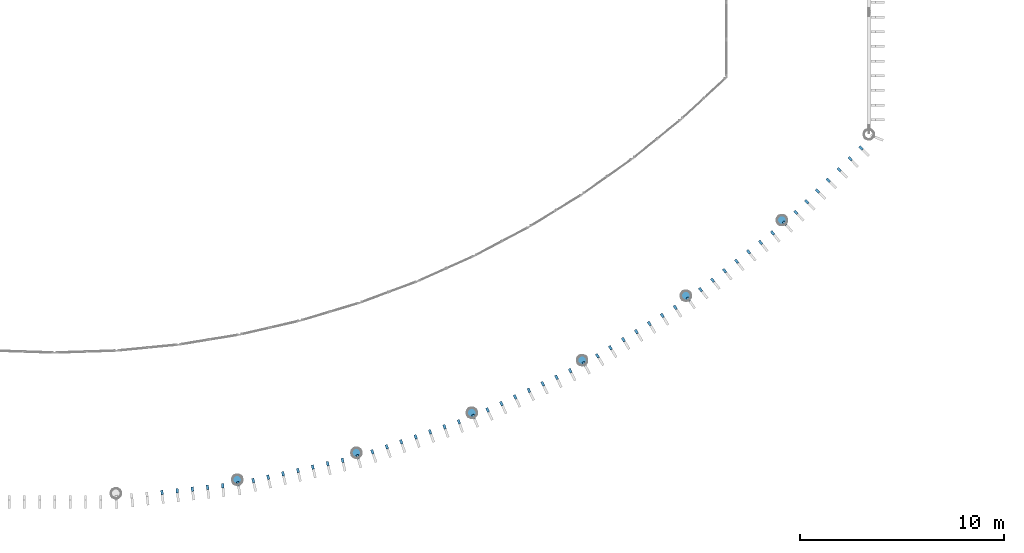
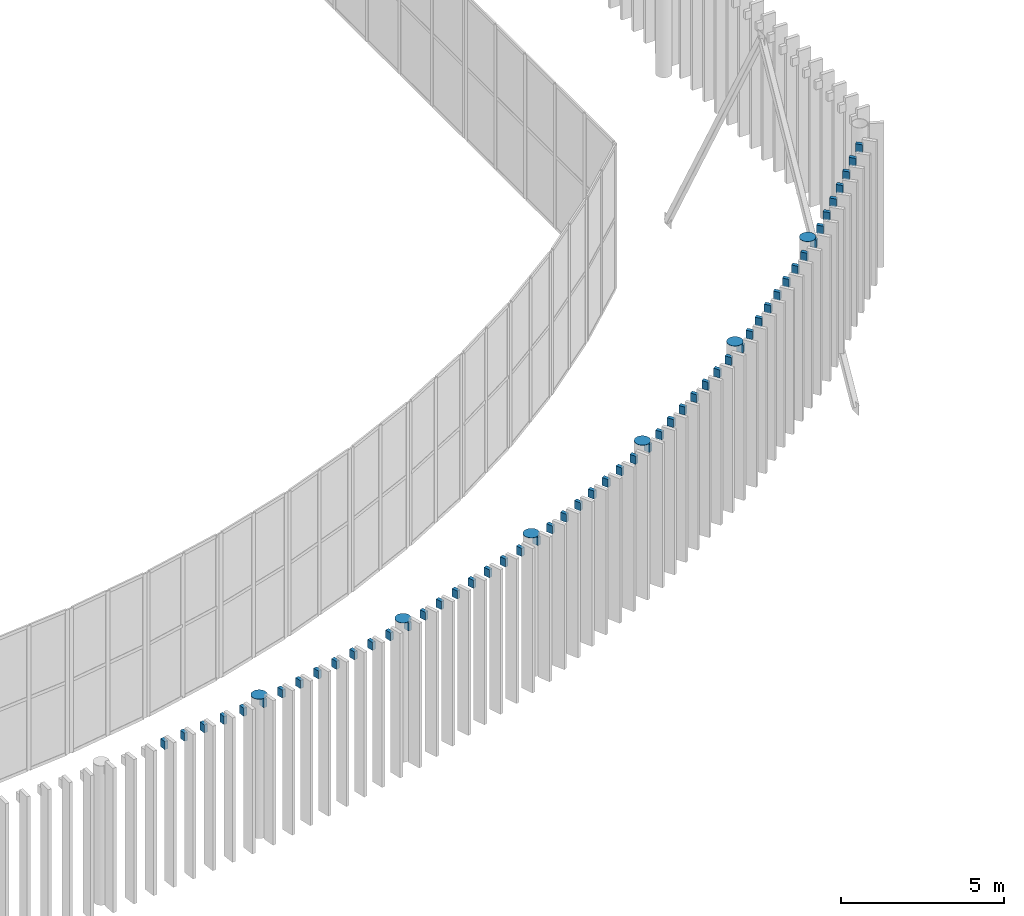
# One storey, part 129 of 170: 59 discrete accessories.
"""IFC4 building model written with IfcOpenShell, lengths in metres."""

from ifc_helpers import new_model, si_unit, direction, frame, origin, origin_2d, place, context, subcontext, project, spatial, rectangle, circle, extrude, material, material_profile, profile_set, type_object, element, save


model = new_model("IFC4")

# Units and contexts
model_context = context("Model", 3, precision=1e-05, world=origin(), true_north=direction((0.0, 1.0)))
body_context = subcontext(model_context, "Body", "Model", "MODEL_VIEW")
ifc_project = project(units=[si_unit("LENGTHUNIT", "METRE"), si_unit("AREAUNIT", "SQUARE_METRE"), si_unit("VOLUMEUNIT", "CUBIC_METRE"), si_unit("PLANEANGLEUNIT", "RADIAN"), si_unit("MASSUNIT", "GRAM", prefix="KILO")], contexts=[model_context])

# Site, building, storey
site_placement = place(None, origin())
site = spatial("IfcSite", under=ifc_project, at=site_placement, CompositionType="ELEMENT")
building_placement = place(site_placement, origin())
building = spatial("IfcBuilding", under=site, at=building_placement, Name="Ravi Spectrum Wholesale Market", CompositionType="ELEMENT")
storey_placement = place(building_placement, frame((0.0, 0.0, 5.39990234375)))
storey = spatial("IfcBuildingStorey", under=building, at=storey_placement, Name="L01", CompositionType="ELEMENT", Elevation=5.39990234375)

# Discrete accessories
ifc_material_1 = material(Name="Steel S355", Category="steel")
ifc_material_profile = material_profile(ifc_material_1, circle(Radius=0.25390625, at=origin_2d()))
ifc_profile_set = profile_set([ifc_material_profile], Name="Steel S355")
discrete_accessory_type_1 = type_object("IfcDiscreteAccessoryType", Name="End plate CHS 508x16", PredefinedType="BRACKET", material=ifc_profile_set)
for number, where, z_axis, x_axis, name in (
    (1, (78.96728515625, 13.0263671875, 5.2001953125), (0.0, 0.0, 1.0), (1.0, 0.0, 0.0), "End plate"),
    (2, (84.822265625, 14.350830078125, 5.2001953125), (0.0, 0.0, 1.0), (1.0, 0.0, 0.0), "End plate"),
    (3, (90.494140625, 16.31689453125, 5.2001953125), (0.0, 0.0, 1.0), (1.0, 0.0, 0.0), "End plate"),
    (4, (95.912841796875, 18.900390625, 5.2001953125), (0.0, 0.0, 1.0), (1.0, 0.0, 0.0), "End plate"),
    (5, (101.01123046875, 22.069091796875, 5.2001953125), (0.0, 0.0, 1.0), (1.0, 0.0, 0.0), "End plate"),
    (6, (105.726318359375, 25.784423828125, 5.2001953125), (0.0, 0.0, 1.0), (1.0, 0.0, 0.0), "End plate"),
):
    element("IfcDiscreteAccessory", number, at=place(storey_placement, frame(where, z_axis=z_axis, x_axis=x_axis)), inside=storey, type_object=discrete_accessory_type_1, Name=name, PredefinedType="BRACKET", context=body_context, shape_type="SweptSolid", body=[
        extrude(circle(Radius=0.25390625, at=origin_2d()), origin(), (0.0, 0.0, 1.0), 0.011962890625),
    ])
ifc_material_2 = material(Name="Steel S355", Category="steel")
discrete_accessory_type_2 = type_object("IfcDiscreteAccessoryType", Name="Fin bracket 120", PredefinedType="BRACKET", material=ifc_material_2)
for number, where, z_axis, x_axis, name in (
    (7, (75.260986328125, 12.411376953125, 4.89990234375), (0.0, 0.0, 1.0), (0.993821098377, 0.110993803521, 0.0), "Fin bracket B301"),
    (8, (76.006591796875, 12.49462890625, 4.89990234375), (0.0, 0.0, 1.0), (0.993821098377, 0.110993803521, 0.0), "Fin bracket B302"),
    (9, (76.75244140625, 12.577880859375, 4.89990234375), (0.0, 0.0, 1.0), (0.993821098377, 0.110993803521, 0.0), "Fin bracket B303"),
    (10, (77.498046875, 12.6611328125, 4.89990234375), (0.0, 0.0, 1.0), (0.993821098377, 0.110993803521, 0.0), "Fin bracket B304"),
    (11, (78.243896484375, 12.744384765625, 4.89990234375), (0.0, 0.0, 1.0), (0.993821098377, 0.110993803521, 0.0), "Fin bracket B305"),
    (12, (79.00048828125, 12.829345703125, 4.89990234375), (0.0, 0.0, 1.0), (0.986115380594, 0.166061603499, 0.0), "Fin bracket B306"),
    (13, (79.743408203125, 12.9970703125, 4.89990234375), (0.0, 0.0, 1.0), (0.97536075116, 0.220615967456, 0.0), "Fin bracket B307"),
    (14, (80.47509765625, 13.16259765625, 4.89990234375), (0.0, 0.0, 1.0), (0.97536075116, 0.220615967456, 0.0), "Fin bracket B308"),
    (15, (81.20703125, 13.328125, 4.89990234375), (0.0, 0.0, 1.0), (0.97536075116, 0.220615967456, 0.0), "Fin bracket B309"),
    (16, (81.93896484375, 13.49365234375, 4.89990234375), (0.0, 0.0, 1.0), (0.97536075116, 0.220615967456, 0.0), "Fin bracket B310"),
    (17, (82.6708984375, 13.6591796875, 4.89990234375), (0.0, 0.0, 1.0), (0.97536075116, 0.220615967456, 0.0), "Fin bracket B311"),
    (18, (83.40283203125, 13.82470703125, 4.89990234375), (0.0, 0.0, 1.0), (0.97536075116, 0.220615967456, 0.0), "Fin bracket B312"),
    (19, (84.134521484375, 13.990234375, 4.89990234375), (0.0, 0.0, 1.0), (0.97536075116, 0.220615967456, 0.0), "Fin bracket B313"),
    (20, (84.877197265625, 14.158447265625, 4.89990234375), (0.0, 0.0, 1.0), (0.961590461677, 0.27448822199, 0.0), "Fin bracket B314"),
    (21, (85.596923828125, 14.40771484375, 4.89990234375), (0.0, 0.0, 1.0), (0.944847087681, 0.32751180269, 0.0), "Fin bracket B315"),
    (22, (86.305908203125, 14.6533203125, 4.89990234375), (0.0, 0.0, 1.0), (0.944847087681, 0.32751180269, 0.0), "Fin bracket B316"),
    (23, (87.014892578125, 14.899169921875, 4.89990234375), (0.0, 0.0, 1.0), (0.944847087681, 0.32751180269, 0.0), "Fin bracket B317"),
    (24, (87.723876953125, 15.144775390625, 4.89990234375), (0.0, 0.0, 1.0), (0.944847087681, 0.32751180269, 0.0), "Fin bracket B318"),
    (25, (88.432861328125, 15.390625, 4.89990234375), (0.0, 0.0, 1.0), (0.944847087681, 0.32751180269, 0.0), "Fin bracket B319"),
    (26, (89.141845703125, 15.636474609375, 4.89990234375), (0.0, 0.0, 1.0), (0.944847087681, 0.32751180269, 0.0), "Fin bracket B320"),
    (27, (89.850830078125, 15.882080078125, 4.89990234375), (0.0, 0.0, 1.0), (0.944847087681, 0.32751180269, 0.0), "Fin bracket B321"),
    (28, (90.570068359375, 16.1318359375, 4.89990234375), (0.0, 0.0, 1.0), (0.925182397026, 0.379522769057, 0.0), "Fin bracket B322"),
    (29, (91.257568359375, 16.459228515625, 4.89990234375), (0.0, 0.0, 1.0), (0.902657189799, 0.430360311488, 0.0), "Fin bracket B323"),
    (30, (91.93505859375, 16.7822265625, 4.89990234375), (0.0, 0.0, 1.0), (0.902657189799, 0.430360311488, 0.0), "Fin bracket B324"),
    (31, (92.6123046875, 17.105224609375, 4.89990234375), (0.0, 0.0, 1.0), (0.902657189799, 0.430360311488, 0.0), "Fin bracket B325"),
    (32, (93.28955078125, 17.427978515625, 4.89990234375), (0.0, 0.0, 1.0), (0.902657189799, 0.430360311488, 0.0), "Fin bracket B326"),
    (33, (93.967041015625, 17.7509765625, 4.89990234375), (0.0, 0.0, 1.0), (0.902657189799, 0.430360311488, 0.0), "Fin bracket B327"),
    (34, (94.644287109375, 18.073974609375, 4.89990234375), (0.0, 0.0, 1.0), (0.902657189799, 0.430360311488, 0.0), "Fin bracket B328"),
    (35, (95.321533203125, 18.396728515625, 4.89990234375), (0.0, 0.0, 1.0), (0.902657189799, 0.430360311488, 0.0), "Fin bracket B329"),
    (36, (96.0087890625, 18.724853515625, 4.89990234375), (0.0, 0.0, 1.0), (0.877341110352, 0.4798672484, 0.0), "Fin bracket B330"),
    (37, (96.65576171875, 19.12646484375, 4.89990234375), (0.0, 0.0, 1.0), (0.849312431968, 0.527890512232, 0.0), "Fin bracket B331"),
    (38, (97.29296875, 19.522705078125, 4.89990234375), (0.0, 0.0, 1.0), (0.849312431968, 0.527890512232, 0.0), "Fin bracket B332"),
    (39, (97.930419921875, 19.918701171875, 4.89990234375), (0.0, 0.0, 1.0), (0.849312431968, 0.527890512232, 0.0), "Fin bracket B333"),
    (40, (98.567626953125, 20.31494140625, 4.89990234375), (0.0, 0.0, 1.0), (0.849312431968, 0.527890512232, 0.0), "Fin bracket B334"),
    (41, (99.204833984375, 20.7109375, 4.89990234375), (0.0, 0.0, 1.0), (0.849312431968, 0.527890512232, 0.0), "Fin bracket B335"),
    (42, (99.84228515625, 21.107177734375, 4.89990234375), (0.0, 0.0, 1.0), (0.849312431968, 0.527890512232, 0.0), "Fin bracket B336"),
    (43, (100.4794921875, 21.503173828125, 4.89990234375), (0.0, 0.0, 1.0), (0.849312431968, 0.527890512232, 0.0), "Fin bracket B337"),
    (44, (101.1259765625, 21.905517578125, 4.89990234375), (0.0, 0.0, 1.0), (0.818657814856, 0.574281622703, 0.0), "Fin bracket B338"),
    (45, (101.724365234375, 22.37646484375, 4.89990234375), (0.0, 0.0, 1.0), (0.785472038209, 0.618897145891, 0.0), "Fin bracket B339"),
    (46, (102.313720703125, 22.8408203125, 4.89990234375), (0.0, 0.0, 1.0), (0.785472038209, 0.618897145891, 0.0), "Fin bracket B340"),
    (47, (102.903076171875, 23.305419921875, 4.89990234375), (0.0, 0.0, 1.0), (0.785472038209, 0.618897145891, 0.0), "Fin bracket B341"),
    (48, (103.49267578125, 23.769775390625, 4.89990234375), (0.0, 0.0, 1.0), (0.785472038209, 0.618897145891, 0.0), "Fin bracket B342"),
    (49, (104.08203125, 24.234130859375, 4.89990234375), (0.0, 0.0, 1.0), (0.785472038209, 0.618897145891, 0.0), "Fin bracket B343"),
    (50, (104.67138671875, 24.698486328125, 4.89990234375), (0.0, 0.0, 1.0), (0.785472038209, 0.618897145891, 0.0), "Fin bracket B344"),
    (51, (105.2607421875, 25.162841796875, 4.89990234375), (0.0, 0.0, 1.0), (0.785472038209, 0.618897145891, 0.0), "Fin bracket B345"),
    (52, (105.858642578125, 25.634521484375, 4.89990234375), (0.0, 0.0, 1.0), (0.74985770716, 0.661599137706, 0.0), "Fin bracket B346"),
    (53, (106.401123046875, 26.1689453125, 4.89990234375), (0.0, 0.0, 1.0), (0.711924935547, 0.702255570392, 0.0), "Fin bracket B347"),
    (54, (106.935302734375, 26.69580078125, 4.89990234375), (0.0, 0.0, 1.0), (0.711924935547, 0.702255570392, 0.0), "Fin bracket B348"),
    (55, (107.469482421875, 27.222900390625, 4.89990234375), (0.0, 0.0, 1.0), (0.711924935547, 0.702255570392, 0.0), "Fin bracket B349"),
    (56, (108.003662109375, 27.749755859375, 4.89990234375), (0.0, 0.0, 1.0), (0.711924935547, 0.702255570392, 0.0), "Fin bracket B350"),
    (57, (108.537841796875, 28.27685546875, 4.89990234375), (0.0, 0.0, 1.0), (0.711924935547, 0.702255570392, 0.0), "Fin bracket B351"),
    (58, (109.072021484375, 28.8037109375, 4.89990234375), (0.0, 0.0, 1.0), (0.711924935547, 0.702255570392, 0.0), "Fin bracket B352"),
    (59, (109.606201171875, 29.33056640625, 4.89990234375), (0.0, 0.0, 1.0), (0.711924935547, 0.702255570392, 0.0), "Fin bracket B353"),
):
    element("IfcDiscreteAccessory", number, at=place(storey_placement, frame(where, z_axis=z_axis, x_axis=x_axis)), inside=storey, type_object=discrete_accessory_type_2, Name=name, PredefinedType="BRACKET", context=body_context, shape_type="SweptSolid", body=[
        extrude(rectangle(XDim=0.1201171875, YDim=0.219970703125, at=origin_2d()), origin(), (0.0, 0.0, 1.0), 0.300048828125),
    ])

save(model, "model.ifc")
